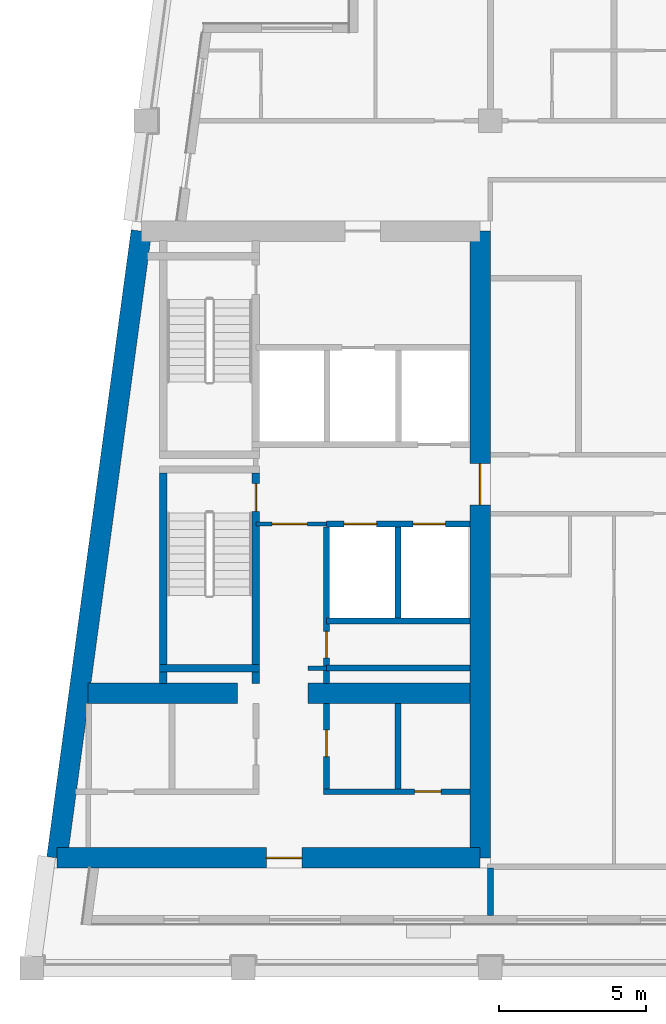
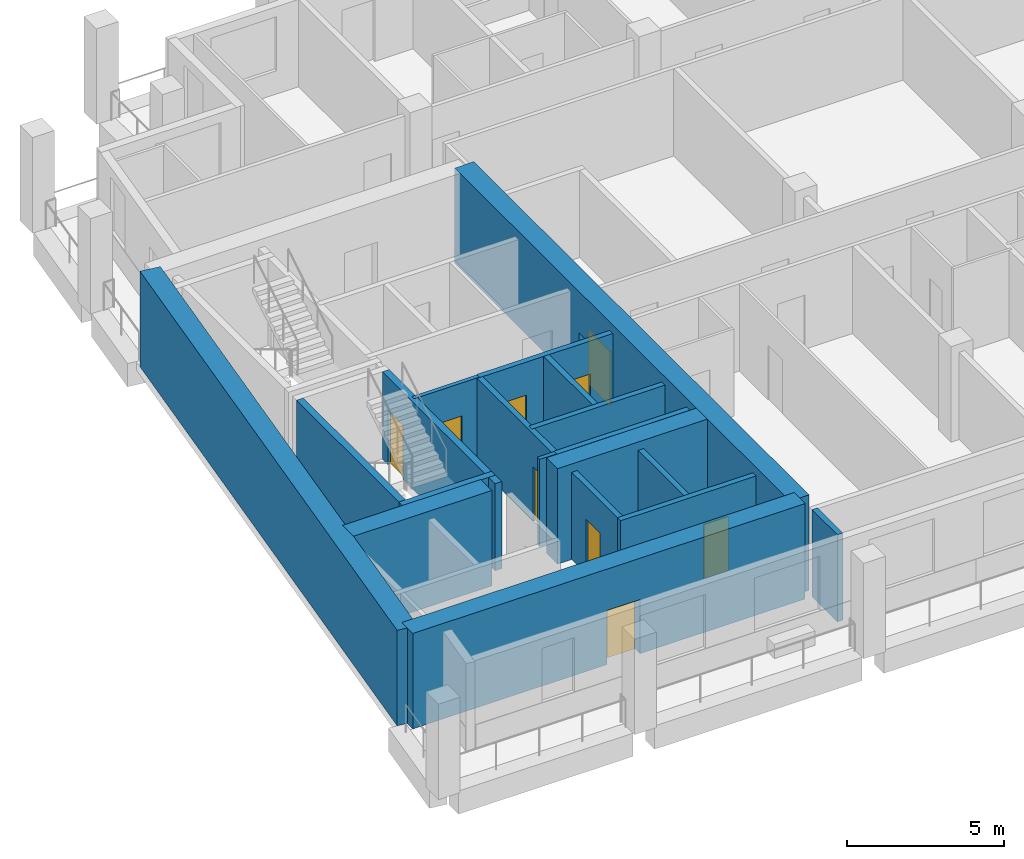
# One storey, part 2 of 13: 19 walls, 9 doors, 9 openings.
"""IFC4 building model written with IfcOpenShell, lengths in metres."""

from ifc_helpers import new_model, si_unit, direction, frame, frame_2d, origin, place, context, subcontext, project, spatial, rectangle, extrude, material, layer, layer_set, type_object, element, fill, save


model = new_model("IFC4")

# Units and contexts
model_context = context("Model", 3, precision=1e-05, world=origin(), true_north=direction((0.0, 1.0)))
body_context = subcontext(model_context, "Body", "Model", "MODEL_VIEW")
ifc_project = project(units=[si_unit("LENGTHUNIT", "METRE"), si_unit("AREAUNIT", "SQUARE_METRE"), si_unit("VOLUMEUNIT", "CUBIC_METRE"), si_unit("PLANEANGLEUNIT", "RADIAN"), si_unit("MASSUNIT", "GRAM", prefix="KILO")], contexts=[model_context])

# Site, building, storey
site_placement = place(None, origin())
site = spatial("IfcSite", under=ifc_project, at=site_placement, CompositionType="ELEMENT")
building_placement = place(site_placement, origin())
building = spatial("IfcBuilding", under=site, at=building_placement, Name="Candeia Pilgrim Tower and Theatre", CompositionType="ELEMENT")
storey_placement = place(building_placement, frame((0.0, 0.0, 270.10009765625)))
storey = spatial("IfcBuildingStorey", under=building, at=storey_placement, Name="L65", CompositionType="ELEMENT", Elevation=270.10009765625)

# Wall, opening, door
ifc_material_1 = material(Name="Concrete C40/50", Category="concrete")
ifc_layer_1 = layer(ifc_material_1, 0.699951171875)
ifc_layer_set_1 = layer_set([ifc_layer_1], Name="Core wall 700 C40/50")
wall_type_1 = type_object("IfcWallType", Name="Core wall 700 C40/50", PredefinedType="SHEAR", material=ifc_layer_set_1)
wall_1_placement = place(storey_placement, frame((100.449951171875, 132.050048828125, 0.0), z_axis=(0.0, 0.0, 1.0), x_axis=(0.0, -1.0, 0.0)))
wall_1 = element("IfcWall", 1, at=wall_1_placement, inside=storey, type_object=wall_type_1, Name="Core wall W2", PredefinedType="SHEAR", context=body_context, shape_type="SweptSolid", body=[
    extrude(rectangle(XDim=21.300048828125, YDim=0.699951171875, at=frame_2d((10.64990234375, 0.0))), origin(), (0.0, 0.0, 1.0), 3.699951171875),
])
opening_1_placement = place(wall_1_placement, frame((7.89990234375, 0.0, 0.0)))
opening_1 = element("IfcOpeningElement", 2, at=opening_1_placement, cuts=wall_1, Name="Opening L65-D051", PredefinedType="OPENING", context=body_context, shape_type="SweptSolid", body=[
    extrude(rectangle(XDim=1.39990234375, YDim=2.10009765625, at=frame_2d((0.699951171875, 1.050048828125))), frame((0.0, 0.35986328125, 0.0), z_axis=(0.0, -1.0, 0.0), x_axis=(1.0, 0.0, 0.0)), (0.0, 0.0, 1.0), 0.719970703125),
])
ifc_material_2 = material(Name="Steel fire door set", Category="steel")
door_type_1 = type_object("IfcDoorType", Name="D-1400-FD60", OperationType="NOTDEFINED", PredefinedType="DOOR", material=ifc_material_2)
door_1_placement = place(opening_1_placement, origin())
door_1 = element("IfcDoor", 3, at=door_1_placement, inside=storey, type_object=door_type_1, Name="Door L65-D051", OperationType="SINGLE_SWING_RIGHT", OverallHeight=2.10009765625, OverallWidth=1.39990234375, PredefinedType="DOOR", context=body_context, shape_type="SweptSolid", body=[
    extrude(rectangle(XDim=1.39990234375, YDim=2.10009765625, at=frame_2d((0.699951171875, 1.050048828125))), frame((0.0, 0.02490234375, 0.0), z_axis=(0.0, -1.0, 0.0), x_axis=(1.0, 0.0, 0.0)), (0.0, 0.0, 1.0), 0.050048828125),
])
fill(opening_1, door_1)

wall_2_placement = place(storey_placement, frame((100.449951171875, 110.75, 0.0), z_axis=(0.0, 0.0, 1.0), x_axis=(-1.0, 0.0, 0.0)))
wall_2 = element("IfcWall", 4, at=wall_2_placement, inside=storey, type_object=wall_type_1, Name="Core wall W3", PredefinedType="SHEAR", context=body_context, shape_type="SweptSolid", body=[
    extrude(rectangle(XDim=14.38037109375, YDim=0.699951171875, at=frame_2d((7.190185546875, 0.0))), origin(), (0.0, 0.0, 1.0), 3.699951171875),
])
opening_2_placement = place(wall_2_placement, frame((6.060302734375, 0.0, 0.0)))
opening_2 = element("IfcOpeningElement", 5, at=opening_2_placement, cuts=wall_2, Name="Opening L65-D048", PredefinedType="OPENING", context=body_context, shape_type="SweptSolid", body=[
    extrude(rectangle(XDim=1.199951171875, YDim=2.10009765625, at=frame_2d((0.60009765625, 1.050048828125))), frame((0.0, 0.35986328125, 0.0), z_axis=(0.0, -1.0, 0.0), x_axis=(1.0, 0.0, 0.0)), (0.0, 0.0, 1.0), 0.719970703125),
])
door_type_2 = type_object("IfcDoorType", Name="D-1200-FD60", OperationType="NOTDEFINED", PredefinedType="DOOR", material=ifc_material_2)
door_2_placement = place(opening_2_placement, origin())
door_2 = element("IfcDoor", 6, at=door_2_placement, inside=storey, type_object=door_type_2, Name="Door L65-D048", OperationType="SINGLE_SWING_LEFT", OverallHeight=2.10009765625, OverallWidth=1.199951171875, PredefinedType="DOOR", context=body_context, shape_type="SweptSolid", body=[
    extrude(rectangle(XDim=1.199951171875, YDim=2.10009765625, at=frame_2d((0.60009765625, 1.050048828125))), frame((0.0, 0.02490234375, 0.0), z_axis=(0.0, -1.0, 0.0), x_axis=(1.0, 0.0, 0.0)), (0.0, 0.0, 1.0), 0.050048828125),
])
fill(opening_2, door_2)

# Walls
wall_3_placement = place(storey_placement, frame((86.069580078125, 110.75, 0.0), z_axis=(0.0, 0.0, 1.0), x_axis=(0.133406218907, 0.991061441464, 0.0)))
element("IfcWall", 7, at=wall_3_placement, inside=storey, type_object=wall_type_1, Name="Core wall W4", PredefinedType="SHEAR", context=body_context, shape_type="SweptSolid", body=[
    extrude(rectangle(XDim=21.4921875, YDim=0.699951171875, at=frame_2d((10.74609375, 0.0))), origin(), (0.0, 0.0, 1.0), 3.699951171875),
])
wall_4_placement = place(storey_placement, frame((87.123046875, 116.35009765625, 0.0), z_axis=(0.0, 0.0, 1.0), x_axis=(1.0, 0.0, 0.0)))
element("IfcWall", 8, at=wall_4_placement, inside=storey, type_object=wall_type_1, Name="Core wall W5", PredefinedType="SHEAR", context=body_context, shape_type="SweptSolid", body=[
    extrude(rectangle(XDim=5.076904296875, YDim=0.699951171875, at=frame_2d((2.53857421875, 0.0))), origin(), (0.0, 0.0, 1.0), 3.699951171875),
])
wall_5_placement = place(storey_placement, frame((94.60009765625, 116.35009765625, 0.0), z_axis=(0.0, 0.0, 1.0), x_axis=(1.0, 0.0, 0.0)))
element("IfcWall", 9, at=wall_5_placement, inside=storey, type_object=wall_type_1, Name="Core wall W6", PredefinedType="SHEAR", context=body_context, shape_type="SweptSolid", body=[
    extrude(rectangle(XDim=5.5, YDim=0.699951171875, at=frame_2d((2.75, 0.0))), origin(), (0.0, 0.0, 1.0), 3.699951171875),
])
ifc_material_3 = material(Name="Gypsum board partition on steel studs", Category="steel")
ifc_layer_2 = layer(ifc_material_3, 0.14990234375)
ifc_layer_set_2 = layer_set([ifc_layer_2], Name="PW-150 lobby wall")
wall_type_2 = type_object("IfcWallType", Name="PW-150 lobby wall", PredefinedType="PARTITIONING", material=ifc_layer_set_2)
wall_6_placement = place(storey_placement, frame((94.60009765625, 117.199951171875, 0.0), z_axis=(0.0, 0.0, 1.0), x_axis=(1.0, 0.0, 0.0)))
element("IfcWall", 10, at=wall_6_placement, inside=storey, type_object=wall_type_2, Name="Lobby wall L65-008", PredefinedType="PARTITIONING", context=body_context, shape_type="SweptSolid", body=[
    extrude(rectangle(XDim=0.626953125, YDim=0.14990234375, at=frame_2d((0.3134765625, 0.0))), origin(), (0.0, 0.0, 1.0), 3.3798828125),
])

# Wall, opening, door
wall_7_placement = place(storey_placement, frame((92.826904296875, 122.10009765625, 0.0), z_axis=(0.0, 0.0, 1.0), x_axis=(1.0, 0.0, 0.0)))
wall_7 = element("IfcWall", 11, at=wall_7_placement, inside=storey, type_object=wall_type_2, Name="Lobby wall L65-021", PredefinedType="PARTITIONING", context=body_context, shape_type="SweptSolid", body=[
    extrude(rectangle(XDim=2.400146484375, YDim=0.14990234375, at=frame_2d((1.2001953125, 0.0))), origin(), (0.0, 0.0, 1.0), 3.3798828125),
])
opening_3_placement = place(wall_7_placement, frame((0.550048828125, 0.0, 0.0)))
opening_3 = element("IfcOpeningElement", 12, at=opening_3_placement, cuts=wall_7, Name="Opening L65-D001", PredefinedType="OPENING", context=body_context, shape_type="SweptSolid", body=[
    extrude(rectangle(XDim=1.199951171875, YDim=2.10009765625, at=frame_2d((0.60009765625, 1.050048828125))), frame((0.0, 0.0849609375, 0.0), z_axis=(0.0, -1.0, 0.0), x_axis=(1.0, 0.0, 0.0)), (0.0, 0.0, 1.0), 0.169921875),
])
door_3_placement = place(opening_3_placement, origin())
door_3 = element("IfcDoor", 13, at=door_3_placement, inside=storey, type_object=door_type_2, Name="Door L65-D001", OperationType="SINGLE_SWING_RIGHT", OverallHeight=2.10009765625, OverallWidth=1.199951171875, PredefinedType="DOOR", context=body_context, shape_type="SweptSolid", body=[
    extrude(rectangle(XDim=1.199951171875, YDim=2.10009765625, at=frame_2d((0.60009765625, 1.050048828125))), frame((0.0, 0.02490234375, 0.0), z_axis=(0.0, -1.0, 0.0), x_axis=(1.0, 0.0, 0.0)), (0.0, 0.0, 1.0), 0.050048828125),
])
fill(opening_3, door_3)

# Wall
ifc_layer_3 = layer(ifc_material_3, 0.199951171875)
ifc_layer_set_3 = layer_set([ifc_layer_3], Name="PW-200 party wall")
wall_type_3 = type_object("IfcWallType", Name="PW-200 party wall", PredefinedType="PARTITIONING", material=ifc_layer_set_3)
wall_8_placement = place(storey_placement, frame((100.800048828125, 108.7900390625, 0.0), z_axis=(0.0, 0.0, 1.0), x_axis=(0.0, 1.0, 0.0)))
element("IfcWall", 14, at=wall_8_placement, inside=storey, type_object=wall_type_3, Name="Party wall L65-062", PredefinedType="PARTITIONING", context=body_context, shape_type="SweptSolid", body=[
    extrude(rectangle(XDim=1.60986328125, YDim=0.199951171875, at=frame_2d((0.804931640625, 0.0))), origin(), (0.0, 0.0, 1.0), 3.3798828125),
])

# Wall, opening, door
ifc_layer_4 = layer(ifc_material_1, 0.199951171875)
ifc_layer_set_4 = layer_set([ifc_layer_4], Name="SW-200 shaft wall")
wall_type_4 = type_object("IfcWallType", Name="SW-200 shaft wall", PredefinedType="PARTITIONING", material=ifc_layer_set_4)
wall_9_placement = place(storey_placement, frame((95.126953125, 113.0, 0.0), z_axis=(0.0, 0.0, 1.0), x_axis=(1.0, 0.0, 0.0)))
wall_9 = element("IfcWall", 15, at=wall_9_placement, inside=storey, type_object=wall_type_4, Name="Shaft wall L65-003", PredefinedType="PARTITIONING", context=body_context, shape_type="SweptSolid", body=[
    extrude(rectangle(XDim=4.97314453125, YDim=0.199951171875, at=frame_2d((2.486572265625, 0.0))), origin(), (0.0, 0.0, 1.0), 3.3798828125),
])
opening_4_placement = place(wall_9_placement, frame((3.095947265625, 0.0, 0.0)))
opening_4 = element("IfcOpeningElement", 16, at=opening_4_placement, cuts=wall_9, Name="Opening L65-D008", PredefinedType="OPENING", context=body_context, shape_type="SweptSolid", body=[
    extrude(rectangle(XDim=0.89990234375, YDim=2.10009765625, at=frame_2d((0.449951171875, 1.050048828125))), frame((0.0, 0.10986328125, 0.0), z_axis=(0.0, -1.0, 0.0), x_axis=(1.0, 0.0, 0.0)), (0.0, 0.0, 1.0), 0.219970703125),
])
door_type_3 = type_object("IfcDoorType", Name="D-900-FD60", OperationType="NOTDEFINED", PredefinedType="DOOR", material=ifc_material_2)
door_4_placement = place(opening_4_placement, origin())
door_4 = element("IfcDoor", 17, at=door_4_placement, inside=storey, type_object=door_type_3, Name="Door L65-D008", OperationType="SINGLE_SWING_LEFT", OverallHeight=2.10009765625, OverallWidth=0.89990234375, PredefinedType="DOOR", context=body_context, shape_type="SweptSolid", body=[
    extrude(rectangle(XDim=0.89990234375, YDim=2.10009765625, at=frame_2d((0.449951171875, 1.050048828125))), frame((0.0, 0.02490234375, 0.0), z_axis=(0.0, -1.0, 0.0), x_axis=(1.0, 0.0, 0.0)), (0.0, 0.0, 1.0), 0.050048828125),
])
fill(opening_4, door_4)

# Walls
for number, where, z_axis, x_axis, name in (
    (18, (95.22705078125, 117.199951171875, 0.0), (0.0, 0.0, 1.0), (1.0, 0.0, 0.0), "Shaft wall L65-006"),
    (19, (95.22705078125, 118.800048828125, 0.0), (0.0, 0.0, 1.0), (1.0, 0.0, 0.0), "Shaft wall L65-012"),
):
    element("IfcWall", number, at=place(storey_placement, frame(where, z_axis=z_axis, x_axis=x_axis)), inside=storey, type_object=wall_type_4, Name=name, PredefinedType="PARTITIONING", context=body_context, shape_type="SweptSolid", body=[
        extrude(rectangle(XDim=4.873046875, YDim=0.199951171875, at=frame_2d((2.4365234375, 0.0))), origin(), (0.0, 0.0, 1.0), 3.3798828125),
    ])

# Wall, openings, doors
wall_10_placement = place(storey_placement, frame((95.22705078125, 122.10009765625, 0.0), z_axis=(0.0, 0.0, 1.0), x_axis=(1.0, 0.0, 0.0)))
wall_10 = element("IfcWall", 20, at=wall_10_placement, inside=storey, type_object=wall_type_4, Name="Shaft wall L65-019", PredefinedType="PARTITIONING", context=body_context, shape_type="SweptSolid", body=[
    extrude(rectangle(XDim=4.873046875, YDim=0.199951171875, at=frame_2d((2.4365234375, 0.0))), origin(), (0.0, 0.0, 1.0), 3.3798828125),
])
opening_5_placement = place(wall_10_placement, frame((0.60498046875, 0.0, 0.0)))
opening_5 = element("IfcOpeningElement", 21, at=opening_5_placement, cuts=wall_10, Name="Opening L65-LD01", PredefinedType="OPENING", context=body_context, shape_type="SweptSolid", body=[
    extrude(rectangle(XDim=1.10009765625, YDim=2.10009765625, at=frame_2d((0.550048828125, 1.050048828125))), frame((0.0, 0.10986328125, 0.0), z_axis=(0.0, -1.0, 0.0), x_axis=(1.0, 0.0, 0.0)), (0.0, 0.0, 1.0), 0.219970703125),
])
opening_6_placement = place(wall_10_placement, frame((2.946044921875, 0.0, 0.0)))
opening_6 = element("IfcOpeningElement", 22, at=opening_6_placement, cuts=wall_10, Name="Opening L65-LD02", PredefinedType="OPENING", context=body_context, shape_type="SweptSolid", body=[
    extrude(rectangle(XDim=1.10009765625, YDim=2.10009765625, at=frame_2d((0.550048828125, 1.050048828125))), frame((0.0, 0.10986328125, 0.0), z_axis=(0.0, -1.0, 0.0), x_axis=(1.0, 0.0, 0.0)), (0.0, 0.0, 1.0), 0.219970703125),
])
ifc_material_4 = material(Name="Glazed aluminium landing door", Category="aluminium")
door_type_4 = type_object("IfcDoorType", Name="LD-1100-EI120", OperationType="SLIDING_TO_LEFT", PredefinedType="DOOR", material=ifc_material_4)
door_5_placement = place(opening_5_placement, origin())
door_5 = element("IfcDoor", 23, at=door_5_placement, inside=storey, type_object=door_type_4, Name="Landing door 01 L65", OperationType="SLIDING_TO_LEFT", OverallHeight=2.10009765625, OverallWidth=1.10009765625, PredefinedType="DOOR", context=body_context, shape_type="SweptSolid", body=[
    extrude(rectangle(XDim=1.10009765625, YDim=2.10009765625, at=frame_2d((0.550048828125, 1.050048828125))), frame((0.0, 0.02490234375, 0.0), z_axis=(0.0, -1.0, 0.0), x_axis=(1.0, 0.0, 0.0)), (0.0, 0.0, 1.0), 0.050048828125),
])
fill(opening_5, door_5)
door_6_placement = place(opening_6_placement, origin())
door_6 = element("IfcDoor", 24, at=door_6_placement, inside=storey, type_object=door_type_4, Name="Landing door 02 L65", OperationType="SLIDING_TO_LEFT", OverallHeight=2.10009765625, OverallWidth=1.10009765625, PredefinedType="DOOR", context=body_context, shape_type="SweptSolid", body=[
    extrude(rectangle(XDim=1.10009765625, YDim=2.10009765625, at=frame_2d((0.550048828125, 1.050048828125))), frame((0.0, 0.02490234375, 0.0), z_axis=(0.0, -1.0, 0.0), x_axis=(1.0, 0.0, 0.0)), (0.0, 0.0, 1.0), 0.050048828125),
])
fill(opening_6, door_6)

# Wall, opening, door
wall_11_placement = place(storey_placement, frame((95.22705078125, 113.10009765625, 0.0), z_axis=(0.0, 0.0, 1.0), x_axis=(0.0, 1.0, 0.0)))
wall_11 = element("IfcWall", 25, at=wall_11_placement, inside=storey, type_object=wall_type_4, Name="Shaft wall L65-055", PredefinedType="PARTITIONING", context=body_context, shape_type="SweptSolid", body=[
    extrude(rectangle(XDim=2.89990234375, YDim=0.199951171875, at=frame_2d((1.449951171875, 0.0))), origin(), (0.0, 0.0, 1.0), 3.3798828125),
])
opening_7_placement = place(wall_11_placement, frame((1.090087890625, 0.0, 0.0)))
opening_7 = element("IfcOpeningElement", 26, at=opening_7_placement, cuts=wall_11, Name="Opening L65-D007", PredefinedType="OPENING", context=body_context, shape_type="SweptSolid", body=[
    extrude(rectangle(XDim=0.89990234375, YDim=2.10009765625, at=frame_2d((0.449951171875, 1.050048828125))), frame((0.0, 0.10986328125, 0.0), z_axis=(0.0, -1.0, 0.0), x_axis=(1.0, 0.0, 0.0)), (0.0, 0.0, 1.0), 0.219970703125),
])
door_7_placement = place(opening_7_placement, origin())
door_7 = element("IfcDoor", 27, at=door_7_placement, inside=storey, type_object=door_type_3, Name="Door L65-D007", OperationType="SINGLE_SWING_RIGHT", OverallHeight=2.10009765625, OverallWidth=0.89990234375, PredefinedType="DOOR", context=body_context, shape_type="SweptSolid", body=[
    extrude(rectangle(XDim=0.89990234375, YDim=2.10009765625, at=frame_2d((0.449951171875, 1.050048828125))), frame((0.0, 0.02490234375, 0.0), z_axis=(0.0, -1.0, 0.0), x_axis=(1.0, 0.0, 0.0)), (0.0, 0.0, 1.0), 0.050048828125),
])
fill(opening_7, door_7)

wall_12_placement = place(storey_placement, frame((95.22705078125, 116.669921875, 0.0), z_axis=(0.0, 0.0, 1.0), x_axis=(0.0, 1.0, 0.0)))
wall_12 = element("IfcWall", 28, at=wall_12_placement, inside=storey, type_object=wall_type_4, Name="Shaft wall L65-056", PredefinedType="PARTITIONING", context=body_context, shape_type="SweptSolid", body=[
    extrude(rectangle(XDim=5.330078125, YDim=0.199951171875, at=frame_2d((2.6650390625, 0.0))), origin(), (0.0, 0.0, 1.0), 3.3798828125),
])
opening_8_placement = place(wall_12_placement, frame((0.8798828125, 0.0, 0.0)))
opening_8 = element("IfcOpeningElement", 29, at=opening_8_placement, cuts=wall_12, Name="Opening L65-D004", PredefinedType="OPENING", context=body_context, shape_type="SweptSolid", body=[
    extrude(rectangle(XDim=0.89990234375, YDim=2.10009765625, at=frame_2d((0.449951171875, 1.050048828125))), frame((0.0, 0.10986328125, 0.0), z_axis=(0.0, -1.0, 0.0), x_axis=(1.0, 0.0, 0.0)), (0.0, 0.0, 1.0), 0.219970703125),
])
door_8_placement = place(opening_8_placement, origin())
door_8 = element("IfcDoor", 30, at=door_8_placement, inside=storey, type_object=door_type_3, Name="Door L65-D004", OperationType="SINGLE_SWING_LEFT", OverallHeight=2.10009765625, OverallWidth=0.89990234375, PredefinedType="DOOR", context=body_context, shape_type="SweptSolid", body=[
    extrude(rectangle(XDim=0.89990234375, YDim=2.10009765625, at=frame_2d((0.449951171875, 1.050048828125))), frame((0.0, 0.02490234375, 0.0), z_axis=(0.0, -1.0, 0.0), x_axis=(1.0, 0.0, 0.0)), (0.0, 0.0, 1.0), 0.050048828125),
])
fill(opening_8, door_8)

# Walls
wall_13_placement = place(storey_placement, frame((97.66357421875, 113.10009765625, 0.0), z_axis=(0.0, 0.0, 1.0), x_axis=(0.0, 1.0, 0.0)))
element("IfcWall", 31, at=wall_13_placement, inside=storey, type_object=wall_type_4, Name="Shaft wall L65-059", PredefinedType="PARTITIONING", context=body_context, shape_type="SweptSolid", body=[
    extrude(rectangle(XDim=2.89990234375, YDim=0.199951171875, at=frame_2d((1.449951171875, 0.0))), origin(), (0.0, 0.0, 1.0), 3.3798828125),
])
wall_14_placement = place(storey_placement, frame((97.66357421875, 118.89990234375, 0.0), z_axis=(0.0, 0.0, 1.0), x_axis=(0.0, 1.0, 0.0)))
element("IfcWall", 32, at=wall_14_placement, inside=storey, type_object=wall_type_4, Name="Shaft wall L65-060", PredefinedType="PARTITIONING", context=body_context, shape_type="SweptSolid", body=[
    extrude(rectangle(XDim=3.10009765625, YDim=0.199951171875, at=frame_2d((1.550048828125, 0.0))), origin(), (0.0, 0.0, 1.0), 3.3798828125),
])
ifc_layer_5 = layer(ifc_material_1, 0.25)
ifc_layer_set_5 = layer_set([ifc_layer_5], Name="SW-250 stair wall")
wall_type_5 = type_object("IfcWallType", Name="SW-250 stair wall", PredefinedType="PARTITIONING", material=ifc_layer_set_5)
wall_15_placement = place(storey_placement, frame((89.552001953125, 117.199951171875, 0.0), z_axis=(0.0, 0.0, 1.0), x_axis=(1.0, 0.0, 0.0)))
element("IfcWall", 33, at=wall_15_placement, inside=storey, type_object=wall_type_5, Name="Stair wall L65-010", PredefinedType="PARTITIONING", context=body_context, shape_type="SweptSolid", body=[
    extrude(rectangle(XDim=3.39990234375, YDim=0.25, at=frame_2d((1.699951171875, 0.0))), origin(), (0.0, 0.0, 1.0), 3.3798828125),
])
wall_16_placement = place(storey_placement, frame((89.677001953125, 116.669921875, 0.0), z_axis=(0.0, 0.0, 1.0), x_axis=(0.0, 1.0, 0.0)))
element("IfcWall", 34, at=wall_16_placement, inside=storey, type_object=wall_type_5, Name="Stair wall L65-047", PredefinedType="PARTITIONING", context=body_context, shape_type="SweptSolid", body=[
    extrude(rectangle(XDim=7.155029296875, YDim=0.25, at=frame_2d((3.57763671875, 0.0))), origin(), (0.0, 0.0, 1.0), 3.3798828125),
])

# Wall, opening, door
wall_17_placement = place(storey_placement, frame((92.826904296875, 116.669921875, 0.0), z_axis=(0.0, 0.0, 1.0), x_axis=(0.0, 1.0, 0.0)))
wall_17 = element("IfcWall", 35, at=wall_17_placement, inside=storey, type_object=wall_type_5, Name="Stair wall L65-052", PredefinedType="PARTITIONING", context=body_context, shape_type="SweptSolid", body=[
    extrude(rectangle(XDim=7.155029296875, YDim=0.25, at=frame_2d((3.57763671875, 0.0))), origin(), (0.0, 0.0, 1.0), 3.3798828125),
])
opening_9_placement = place(wall_17_placement, frame((5.85498046875, 0.0, 0.0)))
opening_9 = element("IfcOpeningElement", 36, at=opening_9_placement, cuts=wall_17, Name="Opening L65-D002", PredefinedType="OPENING", context=body_context, shape_type="SweptSolid", body=[
    extrude(rectangle(XDim=0.949951171875, YDim=2.10009765625, at=frame_2d((0.47509765625, 1.050048828125))), frame((0.0, 0.135009765625, 0.0), z_axis=(0.0, -1.0, 0.0), x_axis=(1.0, 0.0, 0.0)), (0.0, 0.0, 1.0), 0.27001953125),
])
door_type_5 = type_object("IfcDoorType", Name="D-950-FD60", OperationType="NOTDEFINED", PredefinedType="DOOR", material=ifc_material_2)
door_9_placement = place(opening_9_placement, origin())
door_9 = element("IfcDoor", 37, at=door_9_placement, inside=storey, type_object=door_type_5, Name="Door L65-D002", OperationType="SINGLE_SWING_LEFT", OverallHeight=2.10009765625, OverallWidth=0.949951171875, PredefinedType="DOOR", context=body_context, shape_type="SweptSolid", body=[
    extrude(rectangle(XDim=0.949951171875, YDim=2.10009765625, at=frame_2d((0.47509765625, 1.050048828125))), frame((0.0, 0.02490234375, 0.0), z_axis=(0.0, -1.0, 0.0), x_axis=(1.0, 0.0, 0.0)), (0.0, 0.0, 1.0), 0.050048828125),
])
fill(opening_9, door_9)

save(model, "model.ifc")
